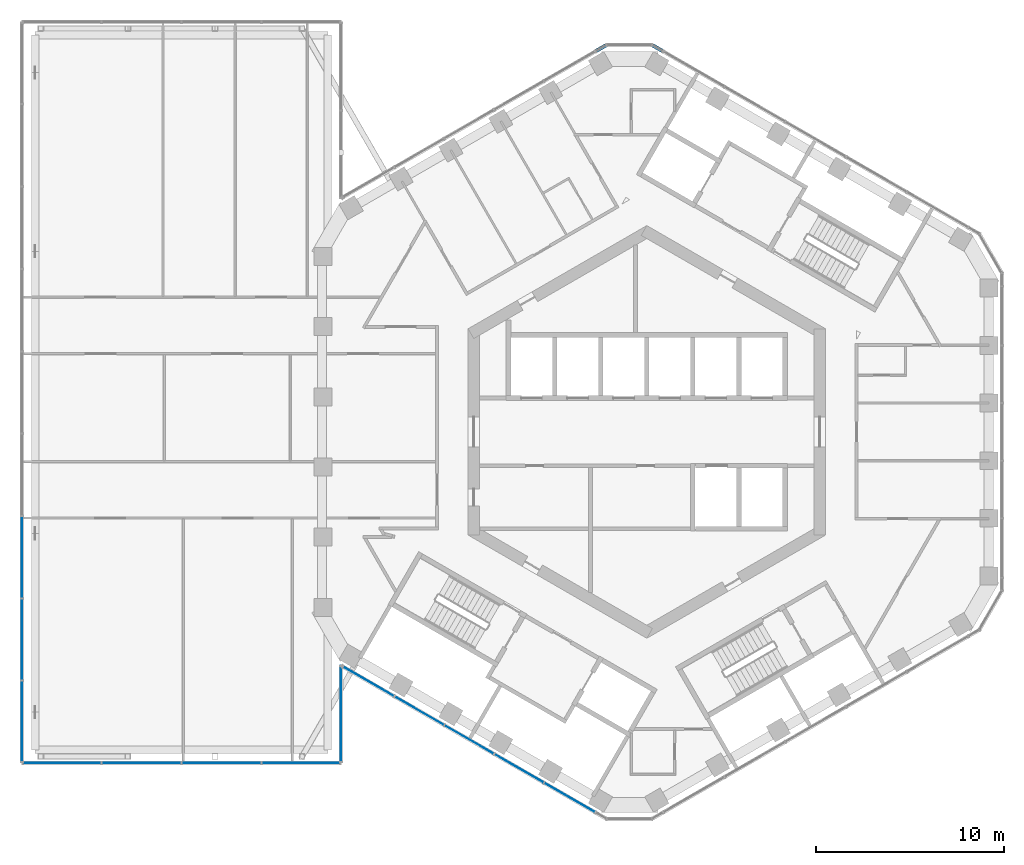
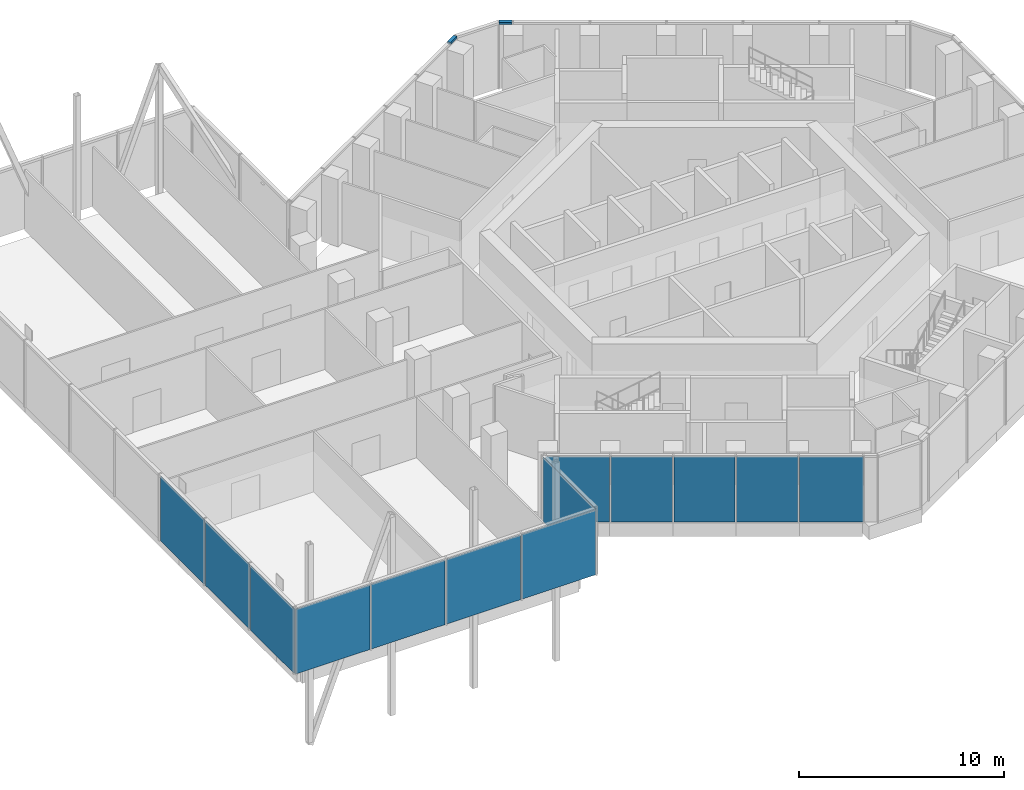
# One storey, part 8 of 21: 13 plates, 2 members, 5 elements without a shape of their own.
"""IFC4 building model written with IfcOpenShell, lengths in metres."""

from ifc_helpers import new_model, si_unit, direction, frame, origin, origin_2d, place, context, subcontext, project, spatial, rectangle, extrude, material, layer, layer_set, material_profile, profile_set, type_object, element, aggregate, save


model = new_model("IFC4")

# Units and contexts
model_context = context("Model", 3, precision=1e-05, world=origin(), true_north=direction((0.0, 1.0)))
body_context = subcontext(model_context, "Body", "Model", "MODEL_VIEW")
ifc_project = project(units=[si_unit("LENGTHUNIT", "METRE"), si_unit("AREAUNIT", "SQUARE_METRE"), si_unit("VOLUMEUNIT", "CUBIC_METRE"), si_unit("PLANEANGLEUNIT", "RADIAN"), si_unit("MASSUNIT", "GRAM", prefix="KILO")], contexts=[model_context])

# Site, building, storey
site_placement = place(None, origin())
site = spatial("IfcSite", under=ifc_project, at=site_placement, CompositionType="ELEMENT")
building_placement = place(site_placement, origin())
building = spatial("IfcBuilding", under=site, at=building_placement, Name="Ayvan Gate Tower", CompositionType="ELEMENT")
storey_placement = place(building_placement, frame((0.0, 0.0, 206.10009765625)))
storey = spatial("IfcBuildingStorey", under=building, at=storey_placement, Name="L55", CompositionType="ELEMENT", Elevation=206.10009765625)

# Curtain wall, members
ifc_material_1 = material(Name="Bronze anodised aluminium", Category="aluminium")
ifc_layer_1 = layer(ifc_material_1, 0.199951171875)
ifc_layer_set_1 = layer_set([ifc_layer_1], Name="Bronze anodised aluminium")
curtain_wall_type_1 = type_object("IfcCurtainWallType", Name="Stick curtain wall CW-6", PredefinedType="NOTDEFINED", material=ifc_layer_set_1)
curtain_wall_1_placement = place(storey_placement, origin())
curtain_wall_1 = element("IfcCurtainWall", 1, at=curtain_wall_1_placement, inside=storey, type_object=curtain_wall_type_1, Name="Stick curtain wall CW-6 L55", PredefinedType="NOTDEFINED")
ifc_material_profile = material_profile(ifc_material_1, rectangle(XDim=0.199951171875, YDim=0.1201171875, at=origin_2d()), Name="Stick curtain wall CW-6 transom 200 x 120")
ifc_profile_set = profile_set([ifc_material_profile], Name="Bronze anodised aluminium")
member_type = type_object("IfcMemberType", Name="Stick curtain wall CW-6 transom 200 x 120", PredefinedType="USERDEFINED", material=ifc_profile_set)
member_1_placement = place(storey_placement, frame((0.838134765625, 20.248046875, 3.93994140625), z_axis=(-0.866022959057, 0.500004234368, 0.0), x_axis=(-0.500004234368, -0.866022959057, 0.0)))
member_1 = element("IfcMember", 2, at=member_1_placement, type_object=member_type, Name="CW-6 transom 1", ObjectType="TRANSOM", PredefinedType="USERDEFINED", context=body_context, shape_type="SweptSolid", body=[
    extrude(rectangle(XDim=0.199951171875, YDim=0.1201171875, at=origin_2d()), origin(), (0.0, 0.0, 1.0), 0.625),
])
member_2_placement = place(storey_placement, frame((-2.1611328125, 20.560546875, 3.93994140625), z_axis=(-0.866022959057, -0.500004234368, 0.0), x_axis=(0.500004234368, -0.866022959057, 0.0)))
member_2 = element("IfcMember", 3, at=member_2_placement, type_object=member_type, Name="CW-6 transom 3", ObjectType="TRANSOM", PredefinedType="USERDEFINED", context=body_context, shape_type="SweptSolid", body=[
    extrude(rectangle(XDim=0.199951171875, YDim=0.1201171875, at=origin_2d()), origin(), (0.0, 0.0, 1.0), 0.625),
])
aggregate(curtain_wall_1, [member_1, member_2])

# Curtain wall, plates
ifc_layer_2 = layer(ifc_material_1, 0.199951171875)
ifc_layer_set_2 = layer_set([ifc_layer_2], Name="Bronze anodised aluminium")
curtain_wall_type_2 = type_object("IfcCurtainWallType", Name="Stick curtain wall CW-2", PredefinedType="NOTDEFINED", material=ifc_layer_set_2)
curtain_wall_2_placement = place(storey_placement, origin())
curtain_wall_2 = element("IfcCurtainWall", 4, at=curtain_wall_2_placement, inside=storey, type_object=curtain_wall_type_2, Name="Stick curtain wall CW-2 L55", PredefinedType="NOTDEFINED")
ifc_material_2 = material(Name="Clear low-iron laminated glass", Category="glass")
ifc_layer_3 = layer(ifc_material_2, 0.028076171875)
ifc_layer_set_3 = layer_set([ifc_layer_3], Name="Clear low-iron laminated glass")
plate_type_1 = type_object("IfcPlateType", Name="Stick curtain wall CW-2 glass panel", PredefinedType="CURTAIN_PANEL", material=ifc_layer_set_3)
plate_1_placement = place(storey_placement, frame((-12.093505859375, -14.826171875, 0.0), z_axis=(0.0, 0.0, 1.0), x_axis=(0.866025403784, -0.5, 0.0)))
plate_1 = element("IfcPlate", 5, at=plate_1_placement, type_object=plate_type_1, Name="CW-2 glass panel 2", PredefinedType="CURTAIN_PANEL", context=body_context, shape_type="SweptSolid", body=[
    extrude(rectangle(XDim=2.990966796875, YDim=0.028076171875, at=origin_2d()), origin(), (0.0, 0.0, 1.0), 3.8798828125),
])
plate_2_placement = place(storey_placement, frame((-9.443115234375, -16.356201171875, 0.0), z_axis=(0.0, 0.0, 1.0), x_axis=(0.866025403784, -0.5, 0.0)))
plate_2 = element("IfcPlate", 6, at=plate_2_placement, type_object=plate_type_1, Name="CW-2 glass panel 3", PredefinedType="CURTAIN_PANEL", context=body_context, shape_type="SweptSolid", body=[
    extrude(rectangle(XDim=2.989990234375, YDim=0.028076171875, at=origin_2d()), origin(), (0.0, 0.0, 1.0), 3.8798828125),
])
plate_3_placement = place(storey_placement, frame((-6.792724609375, -17.886474609375, 0.0), z_axis=(0.0, 0.0, 1.0), x_axis=(0.866025403784, -0.5, 0.0)))
plate_3 = element("IfcPlate", 7, at=plate_3_placement, type_object=plate_type_1, Name="CW-2 glass panel 4", PredefinedType="CURTAIN_PANEL", context=body_context, shape_type="SweptSolid", body=[
    extrude(rectangle(XDim=2.990966796875, YDim=0.028076171875, at=origin_2d()), origin(), (0.0, 0.0, 1.0), 3.8798828125),
])
plate_4_placement = place(storey_placement, frame((-4.084716796875, -19.449951171875, 0.0), z_axis=(0.0, 0.0, 1.0), x_axis=(0.866025403784, -0.5, 0.0)))
plate_4 = element("IfcPlate", 8, at=plate_4_placement, type_object=plate_type_1, Name="CW-2 glass panel 5", PredefinedType="CURTAIN_PANEL", context=body_context, shape_type="SweptSolid", body=[
    extrude(rectangle(XDim=3.12255859375, YDim=0.028076171875, at=origin_2d()), origin(), (0.0, 0.0, 1.0), 3.8798828125),
])
ifc_material_3 = material(Name="Pale anodised aluminium composite panel", Category="aluminium")
ifc_layer_4 = layer(ifc_material_3, 0.028076171875)
ifc_layer_set_4 = layer_set([ifc_layer_4], Name="Pale anodised aluminium composite panel")
plate_type_2 = type_object("IfcPlateType", Name="Stick curtain wall CW-2 solid panel", PredefinedType="CURTAIN_PANEL", material=ifc_layer_set_4)
plate_5_placement = place(storey_placement, frame((-14.801513671875, -13.262451171875, 0.0), z_axis=(0.0, 0.0, 1.0), x_axis=(0.866025403784, -0.5, 0.0)))
plate_5 = element("IfcPlate", 9, at=plate_5_placement, type_object=plate_type_2, Name="CW-2 solid panel 1", PredefinedType="CURTAIN_PANEL", context=body_context, shape_type="SweptSolid", body=[
    extrude(rectangle(XDim=3.123046875, YDim=0.028076171875, at=origin_2d()), origin(), (0.0, 0.0, 1.0), 3.8798828125),
])
aggregate(curtain_wall_2, [plate_5, plate_1, plate_2, plate_3, plate_4])

ifc_layer_5 = layer(ifc_material_1, 0.199951171875)
ifc_layer_set_5 = layer_set([ifc_layer_5], Name="Bronze anodised aluminium")
curtain_wall_type_3 = type_object("IfcCurtainWallType", Name="Stick curtain wall CW-4", PredefinedType="NOTDEFINED", material=ifc_layer_set_5)
curtain_wall_3_placement = place(storey_placement, origin())
curtain_wall_3 = element("IfcCurtainWall", 10, at=curtain_wall_3_placement, inside=storey, type_object=curtain_wall_type_3, Name="Stick curtain wall CW-4 L55", PredefinedType="NOTDEFINED")
ifc_layer_6 = layer(ifc_material_3, 0.028076171875)
ifc_layer_set_6 = layer_set([ifc_layer_6], Name="Pale anodised aluminium composite panel")
plate_type_3 = type_object("IfcPlateType", Name="Stick curtain wall CW-4 solid panel", PredefinedType="CURTAIN_PANEL", material=ifc_layer_set_6)
plate_6_placement = place(storey_placement, frame((-33.224365234375, -6.655517578125, 0.0), z_axis=(0.0, 0.0, 1.0), x_axis=(0.0, -1.0, 0.0)))
plate_6 = element("IfcPlate", 11, at=plate_6_placement, type_object=plate_type_3, Name="CW-4 solid panel 7", PredefinedType="CURTAIN_PANEL", context=body_context, shape_type="SweptSolid", body=[
    extrude(rectangle(XDim=4.2978515625, YDim=0.028076171875, at=origin_2d()), origin(), (0.0, 0.0, 1.0), 3.860107421875),
])
plate_7_placement = place(storey_placement, frame((-33.224365234375, -11.033447265625, 0.0), z_axis=(0.0, 0.0, 1.0), x_axis=(0.0, -1.0, 0.0)))
plate_7 = element("IfcPlate", 12, at=plate_7_placement, type_object=plate_type_3, Name="CW-4 solid panel 8", PredefinedType="CURTAIN_PANEL", context=body_context, shape_type="SweptSolid", body=[
    extrude(rectangle(XDim=4.2978515625, YDim=0.028076171875, at=origin_2d()), origin(), (0.0, 0.0, 1.0), 3.860107421875),
])
plate_8_placement = place(storey_placement, frame((-33.224365234375, -15.4111328125, 0.0), z_axis=(0.0, 0.0, 1.0), x_axis=(0.0, -1.0, 0.0)))
plate_8 = element("IfcPlate", 13, at=plate_8_placement, type_object=plate_type_3, Name="CW-4 solid panel 9", PredefinedType="CURTAIN_PANEL", context=body_context, shape_type="SweptSolid", body=[
    extrude(rectangle(XDim=4.2978515625, YDim=0.028076171875, at=origin_2d()), origin(), (0.0, 0.0, 1.0), 3.860107421875),
])
aggregate(curtain_wall_3, [plate_6, plate_7, plate_8])

curtain_wall_4_placement = place(storey_placement, origin())
curtain_wall_4 = element("IfcCurtainWall", 14, at=curtain_wall_4_placement, inside=storey, type_object=curtain_wall_type_3, Name="Stick curtain wall CW-4 L55", PredefinedType="NOTDEFINED")
plate_9_placement = place(storey_placement, frame((-31.10302734375, -17.60009765625, 0.0), z_axis=(0.0, 0.0, 1.0), x_axis=(1.0, 0.0, 0.0)))
plate_9 = element("IfcPlate", 15, at=plate_9_placement, type_object=plate_type_3, Name="CW-4 solid panel 1", PredefinedType="CURTAIN_PANEL", context=body_context, shape_type="SweptSolid", body=[
    extrude(rectangle(XDim=4.162353515625, YDim=0.028076171875, at=origin_2d()), origin(), (0.0, 0.0, 1.0), 3.860107421875),
])
plate_10_placement = place(storey_placement, frame((-26.860595703125, -17.60009765625, 0.0), z_axis=(0.0, 0.0, 1.0), x_axis=(1.0, 0.0, 0.0)))
plate_10 = element("IfcPlate", 16, at=plate_10_placement, type_object=plate_type_3, Name="CW-4 solid panel 2", PredefinedType="CURTAIN_PANEL", context=body_context, shape_type="SweptSolid", body=[
    extrude(rectangle(XDim=4.162353515625, YDim=0.028076171875, at=origin_2d()), origin(), (0.0, 0.0, 1.0), 3.860107421875),
])
plate_11_placement = place(storey_placement, frame((-22.6181640625, -17.60009765625, 0.0), z_axis=(0.0, 0.0, 1.0), x_axis=(1.0, 0.0, 0.0)))
plate_11 = element("IfcPlate", 17, at=plate_11_placement, type_object=plate_type_3, Name="CW-4 solid panel 3", PredefinedType="CURTAIN_PANEL", context=body_context, shape_type="SweptSolid", body=[
    extrude(rectangle(XDim=4.162353515625, YDim=0.028076171875, at=origin_2d()), origin(), (0.0, 0.0, 1.0), 3.860107421875),
])
plate_12_placement = place(storey_placement, frame((-18.375732421875, -17.60009765625, 0.0), z_axis=(0.0, 0.0, 1.0), x_axis=(1.0, 0.0, 0.0)))
plate_12 = element("IfcPlate", 18, at=plate_12_placement, type_object=plate_type_3, Name="CW-4 solid panel 4", PredefinedType="CURTAIN_PANEL", context=body_context, shape_type="SweptSolid", body=[
    extrude(rectangle(XDim=4.162353515625, YDim=0.028076171875, at=origin_2d()), origin(), (0.0, 0.0, 1.0), 3.860107421875),
])
aggregate(curtain_wall_4, [plate_9, plate_10, plate_11, plate_12])

# Curtain wall, plate
curtain_wall_5_placement = place(storey_placement, origin())
curtain_wall_5 = element("IfcCurtainWall", 19, at=curtain_wall_5_placement, inside=storey, type_object=curtain_wall_type_3, Name="Stick curtain wall CW-4 L55", PredefinedType="NOTDEFINED")
plate_13_placement = place(storey_placement, frame((-16.25439453125, -14.9970703125, 0.0), z_axis=(0.0, 0.0, 1.0), x_axis=(0.0, 1.0, 0.0)))
plate_13 = element("IfcPlate", 20, at=plate_13_placement, type_object=plate_type_3, Name="CW-4 solid panel 1", PredefinedType="CURTAIN_PANEL", context=body_context, shape_type="SweptSolid", body=[
    extrude(rectangle(XDim=5.1259765625, YDim=0.028076171875, at=origin_2d()), origin(), (0.0, 0.0, 1.0), 3.860107421875),
])
aggregate(curtain_wall_5, [plate_13])

save(model, "model.ifc")
